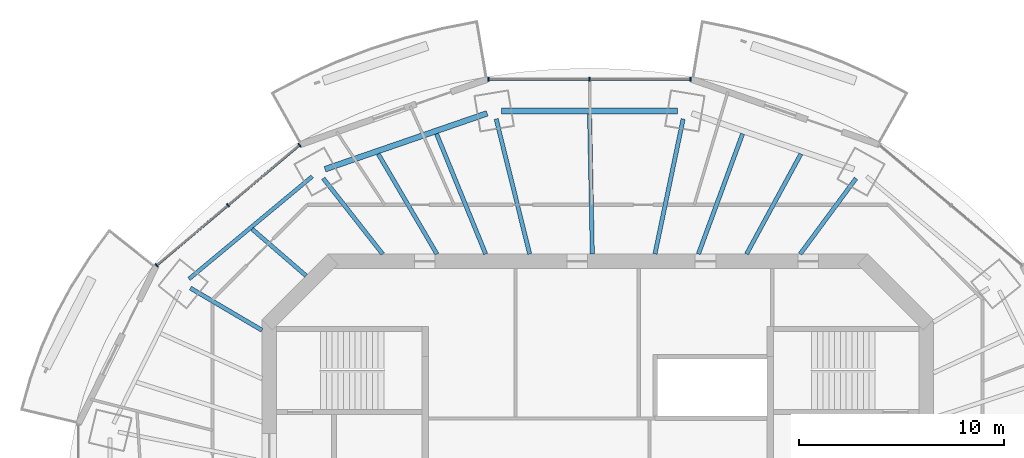
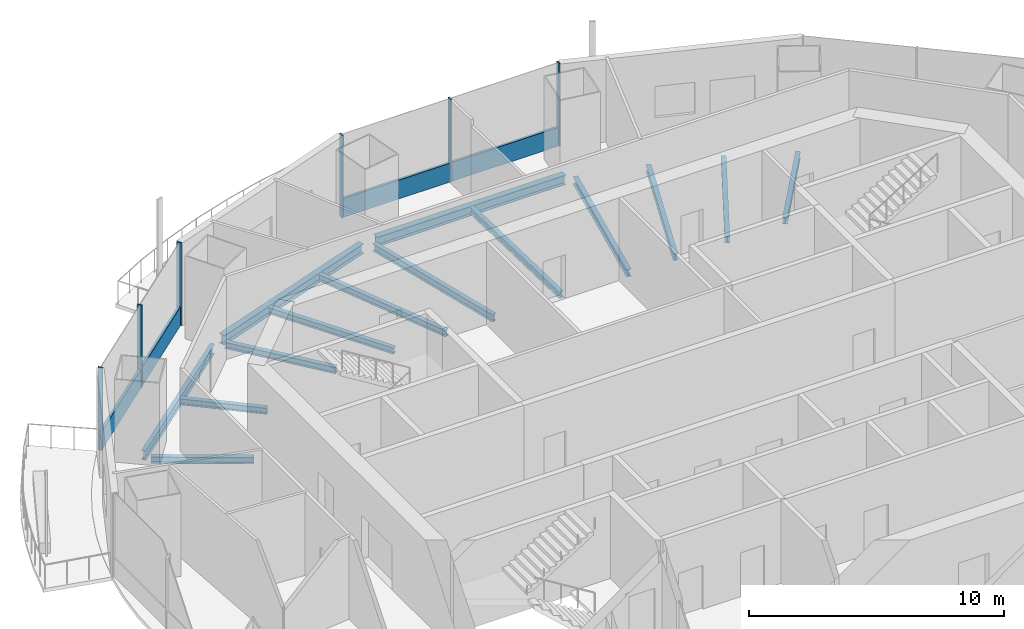
# One storey, part 5 of 15: 14 beams, 8 members, 2 elements without a shape of their own.
"""IFC4 building model written with IfcOpenShell, lengths in metres."""

from ifc_helpers import new_model, si_unit, direction, frame, origin, origin_2d, place, context, subcontext, project, spatial, rectangle, i_section, extrude, material, material_profile, profile_set, type_object, element, aggregate, save


model = new_model("IFC4")

# Units and contexts
model_context = context("Model", 3, precision=1e-05, world=origin(), true_north=direction((0.0, 1.0)))
body_context = subcontext(model_context, "Body", "Model", "MODEL_VIEW")
ifc_project = project(units=[si_unit("LENGTHUNIT", "METRE"), si_unit("AREAUNIT", "SQUARE_METRE"), si_unit("VOLUMEUNIT", "CUBIC_METRE"), si_unit("PLANEANGLEUNIT", "RADIAN"), si_unit("MASSUNIT", "GRAM", prefix="KILO")], contexts=[model_context])

# Site, building, storey
site_placement = place(None, origin())
site = spatial("IfcSite", under=ifc_project, at=site_placement, CompositionType="ELEMENT")
building_placement = place(site_placement, origin())
building = spatial("IfcBuilding", under=site, at=building_placement, Name="Marenthal Gate Tower", CompositionType="ELEMENT")
storey_placement = place(building_placement, frame((0.0, 0.0, 384.10009765625)))
storey = spatial("IfcBuildingStorey", under=building, at=storey_placement, Name="L87", CompositionType="ELEMENT", Elevation=384.10009765625)

# Curtain wall, members
ifc_material_1 = material(Name="Aluminium and glass", Category="aluminium")
curtain_wall_type = type_object("IfcCurtainWallType", Name="Curtain wall typical high", PredefinedType="NOTDEFINED", material=ifc_material_1)
curtain_wall_1_placement = place(storey_placement, origin())
curtain_wall_1 = element("IfcCurtainWall", 1, at=curtain_wall_1_placement, inside=storey, type_object=curtain_wall_type, Name="Curtain wall L87 bay 4", PredefinedType="NOTDEFINED")
ifc_material_2 = material(Name="Aluminium", Category="aluminium")
ifc_material_profile_1 = material_profile(ifc_material_2, rectangle(XDim=0.199951171875, YDim=0.06005859375, at=origin_2d()), Name="60x200 aluminium mullion")
ifc_profile_set_1 = profile_set([ifc_material_profile_1], Name="Aluminium")
member_type_1 = type_object("IfcMemberType", Name="Mullion 60x200 typical high", PredefinedType="MULLION", material=ifc_profile_set_1)
member_1_placement = place(storey_placement, frame((4.521484375, 21.869140625, 0.0), z_axis=(0.0, 0.0, 1.0), x_axis=(0.0, -1.0, 0.0)))
member_1 = element("IfcMember", 2, at=member_1_placement, type_object=member_type_1, Name="Mullion L87 bay 4.1", PredefinedType="MULLION", context=body_context, shape_type="SweptSolid", body=[
    extrude(rectangle(XDim=0.199951171875, YDim=0.06005859375, at=origin_2d()), origin(), (0.0, 0.0, 1.0), 3.969970703125),
])
member_2_placement = place(storey_placement, frame((-0.39990234375, 21.869140625, 0.0), z_axis=(0.0, 0.0, 1.0), x_axis=(0.0, -1.0, 0.0)))
member_2 = element("IfcMember", 3, at=member_2_placement, type_object=member_type_1, Name="Mullion L87 bay 4.2", PredefinedType="MULLION", context=body_context, shape_type="SweptSolid", body=[
    extrude(rectangle(XDim=0.199951171875, YDim=0.06005859375, at=origin_2d()), origin(), (0.0, 0.0, 1.0), 3.969970703125),
])
member_3_placement = place(storey_placement, frame((-5.3212890625, 21.869140625, 0.0), z_axis=(0.0, 0.0, 1.0), x_axis=(0.0, -1.0, 0.0)))
member_3 = element("IfcMember", 4, at=member_3_placement, type_object=member_type_1, Name="Mullion L87 bay 4.3", PredefinedType="MULLION", context=body_context, shape_type="SweptSolid", body=[
    extrude(rectangle(XDim=0.199951171875, YDim=0.06005859375, at=origin_2d()), origin(), (0.0, 0.0, 1.0), 3.969970703125),
])

curtain_wall_2_placement = place(storey_placement, origin())
curtain_wall_2 = element("IfcCurtainWall", 5, at=curtain_wall_2_placement, inside=storey, type_object=curtain_wall_type, Name="Curtain wall L87 bay 6", PredefinedType="NOTDEFINED")
member_4_placement = place(storey_placement, frame((-14.5234375, 18.657470703125, 0.0), z_axis=(0.0, 0.0, 1.0), x_axis=(0.644265226944, -0.764802142616, 0.0)))
member_4 = element("IfcMember", 6, at=member_4_placement, type_object=member_type_1, Name="Mullion L87 bay 6.1", PredefinedType="MULLION", context=body_context, shape_type="SweptSolid", body=[
    extrude(rectangle(XDim=0.199951171875, YDim=0.06005859375, at=origin_2d()), origin(), (0.0, 0.0, 1.0), 3.969970703125),
])
member_5_placement = place(storey_placement, frame((-18.001708984375, 15.7275390625, 0.0), z_axis=(0.0, 0.0, 1.0), x_axis=(0.644265226944, -0.764802142616, 0.0)))
member_5 = element("IfcMember", 7, at=member_5_placement, type_object=member_type_1, Name="Mullion L87 bay 6.2", PredefinedType="MULLION", context=body_context, shape_type="SweptSolid", body=[
    extrude(rectangle(XDim=0.199951171875, YDim=0.06005859375, at=origin_2d()), origin(), (0.0, 0.0, 1.0), 3.969970703125),
])
member_6_placement = place(storey_placement, frame((-21.479736328125, 12.79736328125, 0.0), z_axis=(0.0, 0.0, 1.0), x_axis=(0.644265226944, -0.764802142616, 0.0)))
member_6 = element("IfcMember", 8, at=member_6_placement, type_object=member_type_1, Name="Mullion L87 bay 6.3", PredefinedType="MULLION", context=body_context, shape_type="SweptSolid", body=[
    extrude(rectangle(XDim=0.199951171875, YDim=0.06005859375, at=origin_2d()), origin(), (0.0, 0.0, 1.0), 3.969970703125),
])

# Member
ifc_material_3 = material(Name="Aluminium", Category="aluminium")
ifc_material_profile_2 = material_profile(ifc_material_3, rectangle(XDim=0.1201171875, YDim=0.89990234375, at=origin_2d()), Name="120x900 aluminium transom")
ifc_profile_set_2 = profile_set([ifc_material_profile_2], Name="Aluminium")
member_type_2 = type_object("IfcMemberType", Name="Transom 120x900 typical high", PredefinedType="USERDEFINED", material=ifc_profile_set_2)
member_7_placement = place(storey_placement, frame((4.491455078125, 21.869140625, 0.449951171875), z_axis=(-1.0, 0.0, 0.0), x_axis=(0.0, -1.0, 0.0)))
member_7 = element("IfcMember", 9, at=member_7_placement, type_object=member_type_2, Name="Transom L87 bay 4", ObjectType="TRANSOM", PredefinedType="USERDEFINED", context=body_context, shape_type="SweptSolid", body=[
    extrude(rectangle(XDim=0.1201171875, YDim=0.89990234375, at=origin_2d()), origin(), (0.0, 0.0, 1.0), 9.782958984375),
])

aggregate(curtain_wall_1, [member_1, member_2, member_3, member_7])

member_8_placement = place(storey_placement, frame((-14.54638671875, 18.63818359375, 0.449951171875), z_axis=(-0.764788567143, -0.644281341937, 0.0), x_axis=(0.644281341937, -0.764788567143, 0.0)))
member_8 = element("IfcMember", 10, at=member_8_placement, type_object=member_type_2, Name="Transom L87 bay 6", ObjectType="TRANSOM", PredefinedType="USERDEFINED", context=body_context, shape_type="SweptSolid", body=[
    extrude(rectangle(XDim=0.1201171875, YDim=0.89990234375, at=origin_2d()), origin(), (0.0, 0.0, 1.0), 9.03564453125),
])

aggregate(curtain_wall_2, [member_4, member_5, member_6, member_8])

# Beams
ifc_material_4 = material(Name="Steel S355", Category="steel")
ifc_material_profile_3 = material_profile(ifc_material_4, i_section(OverallWidth=0.202880859375, OverallDepth=0.302001953125, WebThickness=0.007568359375, FlangeThickness=0.01318359375, FilletRadius=0.0126953125, at=origin_2d()), Name="W310X60")
ifc_profile_set_3 = profile_set([ifc_material_profile_3], Name="Steel S355")
beam_type_1 = type_object("IfcBeamType", Name="W310X60 beam", PredefinedType="BEAM", material=ifc_profile_set_3)
beam_1_placement = place(storey_placement, frame((9.895263671875, 18.22412109375, -0.3310546875), z_axis=(-0.477173461033, -0.878809130634, 0.0), x_axis=(0.878809130634, -0.477173461033, 0.0)))
element("IfcBeam", 11, at=beam_1_placement, inside=storey, type_object=beam_type_1, Name="BM-L87-19", PredefinedType="BEAM", context=body_context, shape_type="SweptSolid", body=[
    extrude(i_section(OverallWidth=0.202880859375, OverallDepth=0.302001953125, WebThickness=0.007568359375, FlangeThickness=0.01318359375, FilletRadius=0.0126953125, at=origin_2d()), origin(), (0.0, 0.0, 1.0), 5.546142578125),
])
beam_2_placement = place(storey_placement, frame((-10.690673828125, 18.225830078125, -0.3310546875), z_axis=(0.505940063359, -0.862568636277, 0.0), x_axis=(0.862568636277, 0.505940063359, 0.0)))
element("IfcBeam", 12, at=beam_2_placement, inside=storey, type_object=beam_type_1, Name="BM-L87-23", PredefinedType="BEAM", context=body_context, shape_type="SweptSolid", body=[
    extrude(i_section(OverallWidth=0.202880859375, OverallDepth=0.302001953125, WebThickness=0.007568359375, FlangeThickness=0.01318359375, FilletRadius=0.0126953125, at=origin_2d()), origin(), (0.0, 0.0, 1.0), 5.652587890625),
])
beam_3_placement = place(storey_placement, frame((-16.83251953125, 14.568359375, -0.3310546875), z_axis=(0.756131276019, -0.654419967167, 0.0), x_axis=(0.654419967167, 0.756131276019, 0.0)))
element("IfcBeam", 13, at=beam_3_placement, inside=storey, type_object=beam_type_1, Name="BM-L87-24", PredefinedType="BEAM", context=body_context, shape_type="SweptSolid", body=[
    extrude(i_section(OverallWidth=0.202880859375, OverallDepth=0.302001953125, WebThickness=0.007568359375, FlangeThickness=0.01318359375, FilletRadius=0.0126953125, at=origin_2d()), origin(), (0.0, 0.0, 1.0), 3.47802734375),
])
ifc_material_5 = material(Name="Steel S355", Category="steel")
ifc_material_profile_4 = material_profile(ifc_material_5, i_section(OverallWidth=0.205078125, OverallDepth=0.31005859375, WebThickness=0.009521484375, FlangeThickness=0.016357421875, FilletRadius=0.0126953125, at=origin_2d()), Name="W310X74")
ifc_profile_set_4 = profile_set([ifc_material_profile_4], Name="Steel S355")
beam_type_2 = type_object("IfcBeamType", Name="W310X74 beam", PredefinedType="BEAM", material=ifc_profile_set_4)
beam_4_placement = place(storey_placement, frame((12.58056640625, 17.035400390625, -0.335205078125), z_axis=(-0.594074859314, -0.804409759719, 0.0), x_axis=(0.804409759719, -0.594074859314, 0.0)))
element("IfcBeam", 14, at=beam_4_placement, inside=storey, type_object=beam_type_2, Name="BM-L87-03", PredefinedType="BEAM", context=body_context, shape_type="SweptSolid", body=[
    extrude(i_section(OverallWidth=0.205078125, OverallDepth=0.31005859375, WebThickness=0.009521484375, FlangeThickness=0.016357421875, FilletRadius=0.0126953125, at=origin_2d()), origin(), (0.0, 0.0, 1.0), 4.581298828125),
])
beam_5_placement = place(storey_placement, frame((-13.36865234375, 17.03955078125, -0.335205078125), z_axis=(0.617251167198, -0.786766163858, 0.0), x_axis=(0.786766163858, 0.617251167198, 0.0)))
element("IfcBeam", 15, at=beam_5_placement, inside=storey, type_object=beam_type_2, Name="BM-L87-06", PredefinedType="BEAM", context=body_context, shape_type="SweptSolid", body=[
    extrude(i_section(OverallWidth=0.205078125, OverallDepth=0.31005859375, WebThickness=0.009521484375, FlangeThickness=0.016357421875, FilletRadius=0.0126953125, at=origin_2d()), origin(), (0.0, 0.0, 1.0), 4.689453125),
])
beam_6_placement = place(storey_placement, frame((-19.836181640625, 11.6923828125, -0.335205078125), z_axis=(0.861470125901, -0.507808253359, 0.0), x_axis=(0.507808253359, 0.861470125901, 0.0)))
element("IfcBeam", 16, at=beam_6_placement, inside=storey, type_object=beam_type_2, Name="BM-L87-07", PredefinedType="BEAM", context=body_context, shape_type="SweptSolid", body=[
    extrude(i_section(OverallWidth=0.205078125, OverallDepth=0.31005859375, WebThickness=0.009521484375, FlangeThickness=0.016357421875, FilletRadius=0.0126953125, at=origin_2d()), origin(), (0.0, 0.0, 1.0), 4.046630859375),
])
beam_7_placement = place(storey_placement, frame((7.0546875, 19.202880859375, -0.335205078125), z_axis=(-0.344837880661, -0.938662258782, 0.0), x_axis=(0.938662258782, -0.344837880661, 0.0)))
element("IfcBeam", 17, at=beam_7_placement, inside=storey, type_object=beam_type_2, Name="BM-L87-20", PredefinedType="BEAM", context=body_context, shape_type="SweptSolid", body=[
    extrude(i_section(OverallWidth=0.205078125, OverallDepth=0.31005859375, WebThickness=0.009521484375, FlangeThickness=0.016357421875, FilletRadius=0.0126953125, at=origin_2d()), origin(), (0.0, 0.0, 1.0), 6.2353515625),
])
beam_8_placement = place(storey_placement, frame((-0.397216796875, 20.179931640625, -0.335205078125), z_axis=(0.019692337945, -0.999806087112, 0.0), x_axis=(0.999806087112, 0.019692337945, 0.0)))
element("IfcBeam", 18, at=beam_8_placement, inside=storey, type_object=beam_type_2, Name="BM-L87-21", PredefinedType="BEAM", context=body_context, shape_type="SweptSolid", body=[
    extrude(i_section(OverallWidth=0.205078125, OverallDepth=0.31005859375, WebThickness=0.009521484375, FlangeThickness=0.016357421875, FilletRadius=0.0126953125, at=origin_2d()), origin(), (0.0, 0.0, 1.0), 6.8310546875),
])
beam_9_placement = place(storey_placement, frame((-7.85009765625, 19.20458984375, -0.335205078125), z_axis=(0.378401367112, -0.925641618213, 0.0), x_axis=(0.925641618213, 0.378401367112, 0.0)))
element("IfcBeam", 19, at=beam_9_placement, inside=storey, type_object=beam_type_2, Name="BM-L87-22", PredefinedType="BEAM", context=body_context, shape_type="SweptSolid", body=[
    extrude(i_section(OverallWidth=0.205078125, OverallDepth=0.31005859375, WebThickness=0.009521484375, FlangeThickness=0.016357421875, FilletRadius=0.0126953125, at=origin_2d()), origin(), (0.0, 0.0, 1.0), 6.32470703125),
])
ifc_material_6 = material(Name="Steel S355", Category="steel")
ifc_material_profile_5 = material_profile(ifc_material_6, i_section(OverallWidth=0.205078125, OverallDepth=0.35302734375, WebThickness=0.009521484375, FlangeThickness=0.016845703125, FilletRadius=0.014892578125, at=origin_2d()), Name="W360X79")
ifc_profile_set_5 = profile_set([ifc_material_profile_5], Name="Steel S355")
beam_type_3 = type_object("IfcBeamType", Name="W360X79 beam", PredefinedType="BEAM", material=ifc_profile_set_5)
beam_10_placement = place(storey_placement, frame((4.1611328125, 19.927001953125, -0.356689453125), z_axis=(-0.204431628337, -0.978880845321, 0.0), x_axis=(0.978880845321, -0.204431628337, 0.0)))
element("IfcBeam", 20, at=beam_10_placement, inside=storey, type_object=beam_type_3, Name="BM-L87-04", PredefinedType="BEAM", context=body_context, shape_type="SweptSolid", body=[
    extrude(i_section(OverallWidth=0.205078125, OverallDepth=0.35302734375, WebThickness=0.009521484375, FlangeThickness=0.016845703125, FilletRadius=0.014892578125, at=origin_2d()), origin(), (0.0, 0.0, 1.0), 6.71875),
])
beam_11_placement = place(storey_placement, frame((-4.946044921875, 19.928466796875, -0.356689453125), z_axis=(0.240899563447, -0.9705500504, 0.0), x_axis=(0.9705500504, 0.240899563447, 0.0)))
element("IfcBeam", 21, at=beam_11_placement, inside=storey, type_object=beam_type_3, Name="BM-L87-05", PredefinedType="BEAM", context=body_context, shape_type="SweptSolid", body=[
    extrude(i_section(OverallWidth=0.205078125, OverallDepth=0.35302734375, WebThickness=0.009521484375, FlangeThickness=0.016845703125, FilletRadius=0.014892578125, at=origin_2d()), origin(), (0.0, 0.0, 1.0), 6.778076171875),
])
ifc_material_7 = material(Name="Steel S355", Category="steel")
ifc_material_profile_6 = material_profile(ifc_material_7, i_section(OverallWidth=0.279052734375, OverallDepth=0.4619140625, WebThickness=0.0107421875, FlangeThickness=0.017333984375, FilletRadius=0.010009765625, at=origin_2d()), Name="W460X113")
ifc_profile_set_6 = profile_set([ifc_material_profile_6], Name="Steel S355")
beam_type_4 = type_object("IfcBeamType", Name="W460X113 beam", PredefinedType="BEAM", material=ifc_profile_set_6)
beam_12_placement = place(storey_placement, frame((3.881591796875, 20.319580078125, -0.4111328125), z_axis=(-1.0, 0.0, 0.0), x_axis=(0.0, -1.0, 0.0)))
element("IfcBeam", 22, at=beam_12_placement, inside=storey, type_object=beam_type_4, Name="BM-L87-41", PredefinedType="BEAM", context=body_context, shape_type="SweptSolid", body=[
    extrude(i_section(OverallWidth=0.279052734375, OverallDepth=0.4619140625, WebThickness=0.0107421875, FlangeThickness=0.017333984375, FilletRadius=0.010009765625, at=origin_2d()), origin(), (0.0, 0.0, 1.0), 8.56298828125),
])
beam_13_placement = place(storey_placement, frame((-5.385498046875, 20.201416015625, -0.4111328125), z_axis=(-0.945444742422, -0.325782502639, 0.0), x_axis=(0.325782502639, -0.945444742422, 0.0)))
element("IfcBeam", 23, at=beam_13_placement, inside=storey, type_object=beam_type_4, Name="BM-L87-42", PredefinedType="BEAM", context=body_context, shape_type="SweptSolid", body=[
    extrude(i_section(OverallWidth=0.279052734375, OverallDepth=0.4619140625, WebThickness=0.0107421875, FlangeThickness=0.017333984375, FilletRadius=0.010009765625, at=origin_2d()), origin(), (0.0, 0.0, 1.0), 8.34912109375),
])
ifc_material_8 = material(Name="Steel S355", Category="steel")
ifc_material_profile_7 = material_profile(ifc_material_8, i_section(OverallWidth=0.19091796875, OverallDepth=0.45703125, WebThickness=0.009033203125, FlangeThickness=0.014404296875, FilletRadius=0.01025390625, at=origin_2d()), Name="W460X74")
ifc_profile_set_7 = profile_set([ifc_material_profile_7], Name="Steel S355")
beam_type_5 = type_object("IfcBeamType", Name="W460X74 beam", PredefinedType="BEAM", material=ifc_profile_set_7)
beam_14_placement = place(storey_placement, frame((-13.9033203125, 17.129638671875, -0.40869140625), z_axis=(-0.76874123216, -0.63955994088, 0.0), x_axis=(0.63955994088, -0.76874123216, 0.0)))
element("IfcBeam", 24, at=beam_14_placement, inside=storey, type_object=beam_type_5, Name="BM-L87-43", PredefinedType="BEAM", context=body_context, shape_type="SweptSolid", body=[
    extrude(i_section(OverallWidth=0.19091796875, OverallDepth=0.45703125, WebThickness=0.009033203125, FlangeThickness=0.014404296875, FilletRadius=0.01025390625, at=origin_2d()), origin(), (0.0, 0.0, 1.0), 7.80908203125),
])

save(model, "model.ifc")
